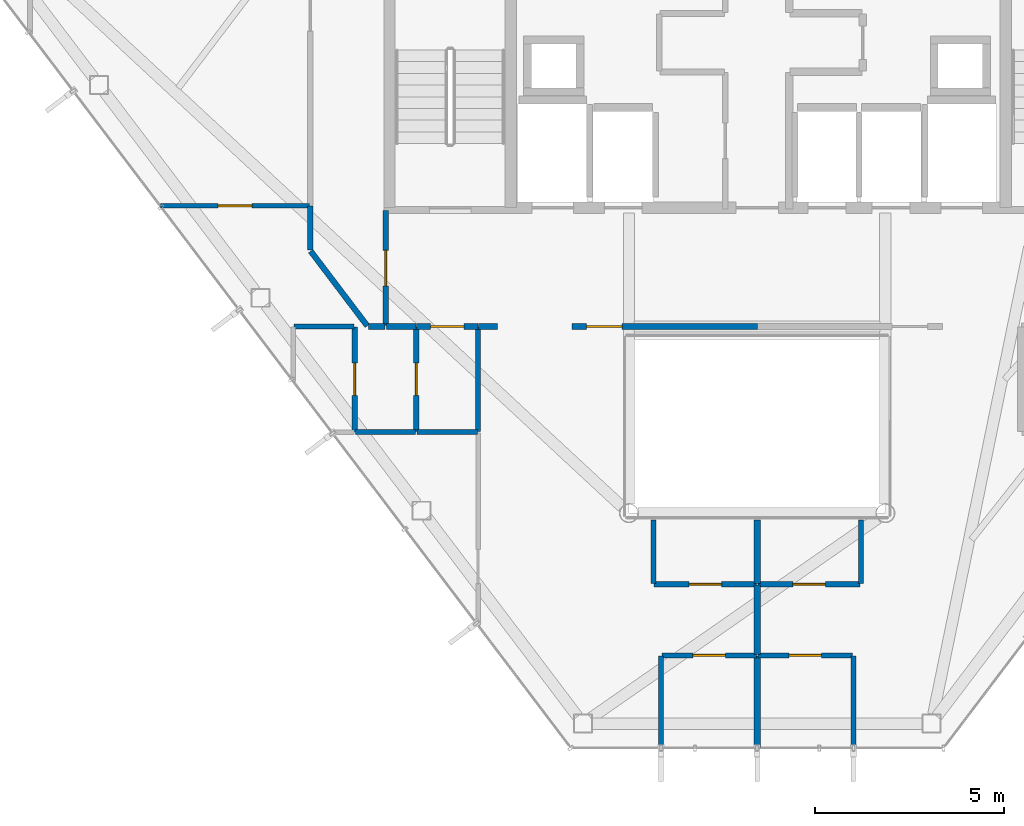
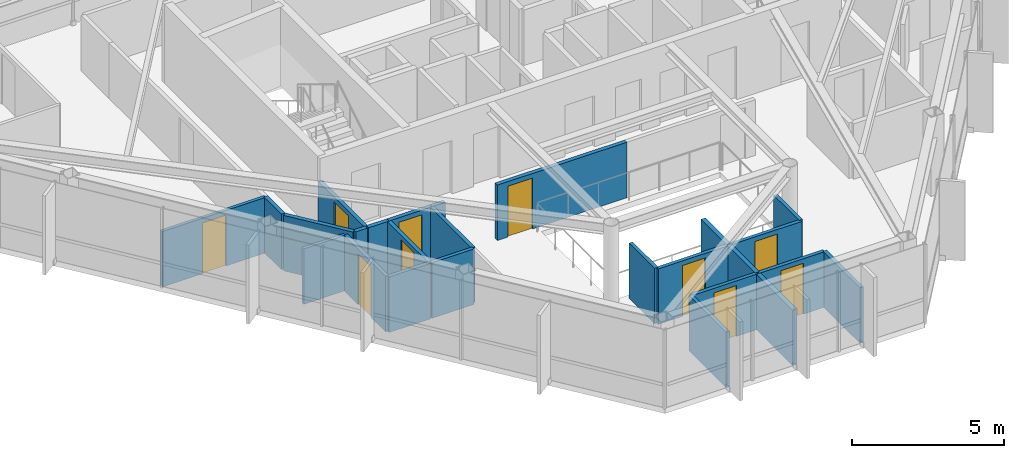
# One storey, part 22 of 26: 26 walls, 10 doors, 10 openings.
"""IFC4 building model written with IfcOpenShell, lengths in metres."""

import ifcopenshell
import ifcopenshell.guid

model = None  # the IFC model being written
_history = None  # IfcOwnerHistory: only IFC2X3 demands one
_inside = {}  # id of a spatial element -> (the spatial element, [elements in it])
_under = {}  # id of a project, library or spatial element -> (it, [spatial elements below it])
_declared = {}  # id of a project -> (the project, [libraries it declares])
_typed = {}  # id of a type object -> (the type object, [elements of that type])
_made_of = {}  # id of a material, layer set ... -> (it, [elements and type objects made of it])


def new_model(schema):
    """Start an empty IFC model of exactly this schema.

    Asked for "IFC4X3", IfcOpenShell would pick the latest addendum, in which some entities
    have other attributes; the version numbers below select the first issue.
    IFC2X3 requires an IfcOwnerHistory on every rooted entity: one is made here for all.
    """
    global model, _history
    if schema == "IFC4X3":
        model = ifcopenshell.file(schema_version=(4, 3, 0, 0))
    else:
        model = ifcopenshell.file(schema=schema)
    _inside.clear()
    _under.clear()
    _declared.clear()
    _typed.clear()
    _made_of.clear()
    _history = None
    if model.schema == "IFC2X3":
        org = make("IfcOrganization", Name="unknown")
        user = make(
            "IfcPersonAndOrganization",
            ThePerson=make("IfcPerson", FamilyName="unknown"),
            TheOrganization=org,
        )
        app = make(
            "IfcApplication",
            ApplicationDeveloper=org,
            Version="unknown",
            ApplicationFullName="unknown",
            ApplicationIdentifier="unknown",
        )
        _history = make(
            "IfcOwnerHistory",
            OwningUser=user,
            OwningApplication=app,
            ChangeAction="ADDED",
            CreationDate=0,
        )
    return model


def make(cls, **values):
    """One entity of the class cls with the attributes given. An attribute that is None is left unset."""
    return model.create_entity(
        cls, **{name: value for name, value in values.items() if value is not None}
    )


def rooted(cls, **values):
    """An entity with a GlobalId (a new one), such as an element, a storey or a relation."""
    return make(cls, GlobalId=ifcopenshell.guid.new(), OwnerHistory=_history, **values)


def si_unit(unit_type, name, prefix=None):
    """IfcSIUnit, for example si_unit("LENGTHUNIT", "METRE", prefix="MILLI")."""
    return make("IfcSIUnit", UnitType=unit_type, Prefix=prefix, Name=name)


def assignment(units):
    """IfcUnitAssignment: the units of a project."""
    return None if units is None else make("IfcUnitAssignment", Units=units)


def point(xyz):
    """IfcCartesianPoint."""
    return None if xyz is None else make("IfcCartesianPoint", Coordinates=xyz)


def direction(xyz):
    """IfcDirection."""
    return None if xyz is None else make("IfcDirection", DirectionRatios=xyz)


def frame(location, z_axis=None, x_axis=None):
    """IfcAxis2Placement3D, a coordinate frame: its origin and axes. An axis left out is left unset."""
    return make(
        "IfcAxis2Placement3D",
        Location=point(location),
        Axis=direction(z_axis),
        RefDirection=direction(x_axis),
    )


def frame_2d(location, x_axis=None):
    """IfcAxis2Placement2D, a coordinate frame in the plane: its origin and x axis."""
    return make(
        "IfcAxis2Placement2D", Location=point(location), RefDirection=direction(x_axis)
    )


def origin():
    """The frame at (0, 0, 0) with its axes left unset."""
    return frame((0.0, 0.0, 0.0))


def place(relative_to, where):
    """IfcLocalPlacement: puts the frame where relative to a parent placement (None: the world)."""
    return make(
        "IfcLocalPlacement", PlacementRelTo=relative_to, RelativePlacement=where
    )


def context(
    kind, dimensions, precision=None, world=None, true_north=None, identifier=None
):
    """IfcGeometricRepresentationContext, for example the 3D "Model" context."""
    return make(
        "IfcGeometricRepresentationContext",
        ContextIdentifier=identifier,
        ContextType=kind,
        CoordinateSpaceDimension=dimensions,
        Precision=precision,
        WorldCoordinateSystem=world,
        TrueNorth=true_north,
    )


def subcontext(parent, identifier, kind, view, scale=None):
    """IfcGeometricRepresentationSubContext, for example "Body" below "Model"."""
    return make(
        "IfcGeometricRepresentationSubContext",
        ContextIdentifier=identifier,
        ContextType=kind,
        ParentContext=parent,
        TargetScale=scale,
        TargetView=view,
    )


def project(units=None, contexts=None):
    """IfcProject with its units and contexts."""
    return rooted(
        "IfcProject",
        Name="project",
        RepresentationContexts=contexts,
        UnitsInContext=assignment(units),
    )


def spatial(cls, under=None, at=None, **own):
    """A site, building, storey or space (cls), placed at a placement, below another one or the project."""
    s = rooted(cls, ObjectPlacement=at, **own)
    if under is not None:
        _under.setdefault(under.id(), (under, []))[1].append(s)
    return s


def profile(cls, at=None, kind="AREA", **sizes):
    """A parametric profile (cls). Its sizes go by their IFC names, for example OverallWidth=200.0."""
    return make(cls, ProfileType=kind, Position=at, **sizes)


def rectangle(**sizes):
    """IfcRectangleProfileDef."""
    return profile("IfcRectangleProfileDef", **sizes)


def extrude(swept, where, along, depth):
    """IfcExtrudedAreaSolid: the profile swept, set in the frame where, extruded along a direction by depth."""
    return make(
        "IfcExtrudedAreaSolid",
        SweptArea=swept,
        Position=where,
        ExtrudedDirection=direction(along),
        Depth=depth,
    )


def shape(context_of_items, identifier, shape_type, items):
    """IfcShapeRepresentation: the items that make up one representation, for example the "Body"."""
    return make(
        "IfcShapeRepresentation",
        ContextOfItems=context_of_items,
        RepresentationIdentifier=identifier,
        RepresentationType=shape_type,
        Items=items,
    )


def material(Name=None, Category=None):
    """IfcMaterial."""
    return make("IfcMaterial", Name=Name, Category=Category)


def layer(
    of_material, thickness, ventilated=None, Name=None, Category=None, Priority=None
):
    """IfcMaterialLayer: one layer of a wall or slab, of a material (None: an air gap)."""
    return make(
        "IfcMaterialLayer",
        Material=of_material,
        LayerThickness=thickness,
        IsVentilated=ventilated,
        Name=Name,
        Category=Category,
        Priority=Priority,
    )


def layer_set(layers, Name=None):
    """IfcMaterialLayerSet."""
    return make("IfcMaterialLayerSet", MaterialLayers=layers, LayerSetName=Name)


def made_of(thing, what):
    """Note that an element or type object is made of a material, layer set ...; save() writes the relation."""
    if what is not None:
        _made_of.setdefault(what.id(), (what, []))[1].append(thing)
    return thing


def type_object(cls, material=None, **own):
    """A type object (cls), such as IfcWallType, which elements share."""
    return made_of(rooted(cls, **own), material)


def element(
    cls,
    number,
    at=None,
    inside=None,
    cuts=None,
    type_object=None,
    material=None,
    context=None,
    identifier="Body",
    shape_type=None,
    held_by="IfcProductDefinitionShape",
    body=None,
    shapes=None,
    **own,
):
    """One element of the class cls, such as IfcWall. Its Tag is "e" and its number.

    at: its placement. inside: the storey or other place that contains it. cuts: it is an
    opening in that element (IfcRelVoidsElement). A single representation is given by context,
    identifier, shape_type and body (its items); several are given by shapes. held_by: the class
    of the entity that holds the representations. save() writes the other relations.
    """
    e = rooted(cls, Tag="e%d" % number, ObjectPlacement=at, **own)
    if body is not None:
        shapes = [shape(context, identifier, shape_type, body)]
    if shapes is not None:
        e.Representation = make(held_by, Representations=shapes)
    if inside is not None:
        _inside.setdefault(inside.id(), (inside, []))[1].append(e)
    if cuts is not None:
        rooted(
            "IfcRelVoidsElement", RelatingBuildingElement=cuts, RelatedOpeningElement=e
        )
    if type_object is not None:
        _typed.setdefault(type_object.id(), (type_object, []))[1].append(e)
    return made_of(e, material)


def fill(opening, filler):
    """IfcRelFillsElement: the door or window that sits in an opening."""
    return rooted(
        "IfcRelFillsElement",
        RelatingOpeningElement=opening,
        RelatedBuildingElement=filler,
    )


def aggregate(whole, parts):
    """IfcRelAggregates: a whole, such as a stair, and the parts it consists of."""
    return rooted("IfcRelAggregates", RelatingObject=whole, RelatedObjects=parts)


def save(model, path):
    """Write the relations noted so far, then the file.

    IfcRelAggregates (storeys below a building ...), IfcRelContainedInSpatialStructure (elements
    in a storey), IfcRelDefinesByType, IfcRelAssociatesMaterial and IfcRelDeclares: one each for
    every whole, place, type object, material and project.
    """
    for whole, parts in _under.values():
        aggregate(whole, parts)
    for where, things in _inside.values():
        rooted(
            "IfcRelContainedInSpatialStructure",
            RelatedElements=things,
            RelatingStructure=where,
        )
    for kind, things in _typed.values():
        rooted("IfcRelDefinesByType", RelatedObjects=things, RelatingType=kind)
    for what, things in _made_of.values():
        rooted("IfcRelAssociatesMaterial", RelatedObjects=things, RelatingMaterial=what)
    for by, libraries in _declared.values():
        rooted("IfcRelDeclares", RelatingContext=by, RelatedDefinitions=libraries)
    model.write(path)


model = new_model("IFC4")

# Units and contexts
model_context = context("Model", 3, precision=1e-05, world=origin(), true_north=direction((0.0, 1.0)))
body_context = subcontext(model_context, "Body", "Model", "MODEL_VIEW")
ifc_project = project(units=[si_unit("LENGTHUNIT", "METRE"), si_unit("AREAUNIT", "SQUARE_METRE"), si_unit("VOLUMEUNIT", "CUBIC_METRE"), si_unit("PLANEANGLEUNIT", "RADIAN"), si_unit("MASSUNIT", "GRAM", prefix="KILO")], contexts=[model_context])

# Site, building, storey
site_placement = place(None, origin())
site = spatial("IfcSite", under=ifc_project, at=site_placement, CompositionType="ELEMENT")
building_placement = place(site_placement, origin())
building = spatial("IfcBuilding", under=site, at=building_placement, Name="Zarrinselat Tower", CompositionType="ELEMENT")
storey_placement = place(building_placement, frame((0.0, 0.0, 258.39990234375)))
storey = spatial("IfcBuildingStorey", under=building, at=storey_placement, Name="L65", CompositionType="ELEMENT", Elevation=258.39990234375)

# Walls
ifc_material_1 = material(Name="Fire-Rated Gypsum Board Partition", Category="gypsum")
ifc_layer_1 = layer(ifc_material_1, 0.1650390625)
ifc_layer_set_1 = layer_set([ifc_layer_1], Name="Fire-Rated Gypsum Board Partition")
wall_type_1 = type_object("IfcWallType", Name="WAL-PART-DEMISE", PredefinedType="PARTITIONING", material=ifc_layer_set_1)
wall_1_placement = place(storey_placement, frame((38.39990234375, 21.451171875, 0.0), z_axis=(0.0, 0.0, 1.0), x_axis=(0.0, 1.0, 0.0)))
element("IfcWall", 1, at=wall_1_placement, inside=storey, type_object=wall_type_1, Name="L65 Partition Wall 52", PredefinedType="PARTITIONING", context=body_context, shape_type="SweptSolid", body=[
    extrude(rectangle(XDim=1.844482421875, YDim=0.1650390625, at=frame_2d((0.92236328125, 0.0))), origin(), (0.0, 0.0, 1.0), 2.235107421875),
])
wall_2_placement = place(storey_placement, frame((38.39990234375, 23.335693359375, 0.0), z_axis=(0.0, 0.0, 1.0), x_axis=(0.0, 1.0, 0.0)))
element("IfcWall", 2, at=wall_2_placement, inside=storey, type_object=wall_type_1, Name="L65 Partition Wall 53", PredefinedType="PARTITIONING", context=body_context, shape_type="SweptSolid", body=[
    extrude(rectangle(XDim=1.684326171875, YDim=0.1650390625, at=frame_2d((0.84228515625, 0.0))), origin(), (0.0, 0.0, 1.0), 2.235107421875),
])
wall_3_placement = place(storey_placement, frame((38.39990234375, 18.986083984375, 0.0), z_axis=(0.0, 0.0, 1.0), x_axis=(0.0, 1.0, 0.0)))
element("IfcWall", 3, at=wall_3_placement, inside=storey, type_object=wall_type_1, Name="L65 Partition Wall 54", PredefinedType="PARTITIONING", context=body_context, shape_type="SweptSolid", body=[
    extrude(rectangle(XDim=2.425048828125, YDim=0.1650390625, at=frame_2d((1.21240234375, 0.0))), origin(), (0.0, 0.0, 1.0), 2.235107421875),
])

# Wall, opening, door
ifc_material_2 = material(Name="Fire-Rated Gypsum Board Partition", Category="gypsum")
ifc_layer_2 = layer(ifc_material_2, 0.14990234375)
ifc_layer_set_2 = layer_set([ifc_layer_2], Name="Fire-Rated Gypsum Board Partition")
wall_type_2 = type_object("IfcWallType", Name="WAL-PART-EI60", PredefinedType="PARTITIONING", material=ifc_layer_set_2)
wall_4_placement = place(storey_placement, frame((28.550048828125, 30.169921875, 0.0), z_axis=(0.0, 0.0, 1.0), x_axis=(0.0, 1.0, 0.0)))
wall_4 = element("IfcWall", 4, at=wall_4_placement, inside=storey, type_object=wall_type_2, Name="L65 Partition Wall 17", PredefinedType="PARTITIONING", context=body_context, shape_type="SweptSolid", body=[
    extrude(rectangle(XDim=3.06005859375, YDim=0.14990234375, at=frame_2d((1.530029296875, 0.0))), origin(), (0.0, 0.0, 1.0), 2.235107421875),
])
opening_1_placement = place(wall_4_placement, frame((1.06005859375, 0.0, 0.0)))
opening_1 = element("IfcOpeningElement", 5, at=opening_1_placement, cuts=wall_4, Name="Opening ID-04", PredefinedType="OPENING", context=body_context, shape_type="SweptSolid", body=[
    extrude(rectangle(XDim=0.93994140625, YDim=2.050048828125, at=frame_2d((0.469970703125, 1.02490234375))), frame((0.0, 0.0849609375, 0.0), z_axis=(0.0, -1.0, 0.0), x_axis=(1.0, 0.0, 0.0)), (0.0, 0.0, 1.0), 0.169921875),
])
ifc_material_3 = material(Name="Fire-Rated Gypsum Board Partition")
door_type_1 = type_object("IfcDoorType", Name="DR-INT-FD30-ENT", OperationType="NOTDEFINED", PredefinedType="DOOR", material=ifc_material_3)
door_1_placement = place(opening_1_placement, origin())
door_1 = element("IfcDoor", 6, at=door_1_placement, inside=storey, type_object=door_type_1, Name="L65 Interior Door P17", OperationType="SINGLE_SWING_RIGHT", OverallHeight=2.050048828125, OverallWidth=0.93994140625, PredefinedType="DOOR", context=body_context, shape_type="SweptSolid", body=[
    extrude(rectangle(XDim=0.93994140625, YDim=2.050048828125, at=frame_2d((0.469970703125, 1.02490234375))), frame((0.0, 0.02490234375, 0.0), z_axis=(0.0, -1.0, 0.0), x_axis=(1.0, 0.0, 0.0)), (0.0, 0.0, 1.0), 0.050048828125),
])
fill(opening_1, door_1)

# Wall
wall_5_placement = place(storey_placement, frame((28.570068359375, 30.14990234375, 0.0), z_axis=(0.0, 0.0, 1.0), x_axis=(1.0, 0.0, 0.0)))
element("IfcWall", 7, at=wall_5_placement, inside=storey, type_object=wall_type_2, Name="L65 Partition Wall 19", PredefinedType="PARTITIONING", context=body_context, shape_type="SweptSolid", body=[
    extrude(rectangle(XDim=0.784912109375, YDim=0.14990234375, at=frame_2d((0.392578125, 0.0))), origin(), (0.0, 0.0, 1.0), 2.235107421875),
])

# Wall, opening, door
wall_6_placement = place(storey_placement, frame((29.364990234375, 30.14990234375, 0.0), z_axis=(0.0, 0.0, 1.0), x_axis=(1.0, 0.0, 0.0)))
wall_6 = element("IfcWall", 8, at=wall_6_placement, inside=storey, type_object=wall_type_2, Name="L65 Partition Wall 20", PredefinedType="PARTITIONING", context=body_context, shape_type="SweptSolid", body=[
    extrude(rectangle(XDim=1.630126953125, YDim=0.14990234375, at=frame_2d((0.81494140625, 0.0))), origin(), (0.0, 0.0, 1.0), 2.235107421875),
])
opening_2_placement = place(wall_6_placement, frame((0.375, 0.0, 0.0)))
opening_2 = element("IfcOpeningElement", 9, at=opening_2_placement, cuts=wall_6, Name="Opening ID-03", PredefinedType="OPENING", context=body_context, shape_type="SweptSolid", body=[
    extrude(rectangle(XDim=0.8798828125, YDim=2.050048828125, at=frame_2d((0.43994140625, 1.02490234375))), frame((0.0, 0.0849609375, 0.0), z_axis=(0.0, -1.0, 0.0), x_axis=(1.0, 0.0, 0.0)), (0.0, 0.0, 1.0), 0.169921875),
])
ifc_material_4 = material(Name="Steel S355J2", Category="steel")
door_type_2 = type_object("IfcDoorType", Name="DR-INT-FD60-S", OperationType="NOTDEFINED", PredefinedType="DOOR", material=ifc_material_4)
door_2_placement = place(opening_2_placement, origin())
door_2 = element("IfcDoor", 10, at=door_2_placement, inside=storey, type_object=door_type_2, Name="L65 Interior Door P20", OperationType="SINGLE_SWING_LEFT", OverallHeight=2.050048828125, OverallWidth=0.8798828125, PredefinedType="DOOR", context=body_context, shape_type="SweptSolid", body=[
    extrude(rectangle(XDim=0.8798828125, YDim=2.050048828125, at=frame_2d((0.43994140625, 1.02490234375))), frame((0.0, 0.02490234375, 0.0), z_axis=(0.0, -1.0, 0.0), x_axis=(1.0, 0.0, 0.0)), (0.0, 0.0, 1.0), 0.050048828125),
])
fill(opening_2, door_2)

wall_7_placement = place(storey_placement, frame((33.485107421875, 30.14990234375, 0.0), z_axis=(0.0, 0.0, 1.0), x_axis=(1.0, 0.0, 0.0)))
wall_7 = element("IfcWall", 11, at=wall_7_placement, inside=storey, type_object=wall_type_2, Name="L65 Partition Wall 21", PredefinedType="PARTITIONING", context=body_context, shape_type="SweptSolid", body=[
    extrude(rectangle(XDim=4.929931640625, YDim=0.14990234375, at=frame_2d((2.46484375, 0.0))), origin(), (0.0, 0.0, 1.0), 2.235107421875),
])
opening_3_placement = place(wall_7_placement, frame((0.39501953125, 0.0, 0.0)))
opening_3 = element("IfcOpeningElement", 12, at=opening_3_placement, cuts=wall_7, Name="Opening ID-04", PredefinedType="OPENING", context=body_context, shape_type="SweptSolid", body=[
    extrude(rectangle(XDim=0.93994140625, YDim=2.050048828125, at=frame_2d((0.469970703125, 1.02490234375))), frame((0.0, 0.0849609375, 0.0), z_axis=(0.0, -1.0, 0.0), x_axis=(1.0, 0.0, 0.0)), (0.0, 0.0, 1.0), 0.169921875),
])
door_3_placement = place(opening_3_placement, origin())
door_3 = element("IfcDoor", 13, at=door_3_placement, inside=storey, type_object=door_type_1, Name="L65 Interior Door P21", OperationType="SINGLE_SWING_RIGHT", OverallHeight=2.050048828125, OverallWidth=0.93994140625, PredefinedType="DOOR", context=body_context, shape_type="SweptSolid", body=[
    extrude(rectangle(XDim=0.93994140625, YDim=2.050048828125, at=frame_2d((0.469970703125, 1.02490234375))), frame((0.0, 0.02490234375, 0.0), z_axis=(0.0, -1.0, 0.0), x_axis=(1.0, 0.0, 0.0)), (0.0, 0.0, 1.0), 0.050048828125),
])
fill(opening_3, door_3)

# Walls
wall_8_placement = place(storey_placement, frame((31.0048828125, 30.14990234375, 0.0), z_axis=(0.0, 0.0, 1.0), x_axis=(1.0, 0.0, 0.0)))
element("IfcWall", 14, at=wall_8_placement, inside=storey, type_object=wall_type_2, Name="L65 Partition Wall 22", PredefinedType="PARTITIONING", context=body_context, shape_type="SweptSolid", body=[
    extrude(rectangle(XDim=0.510009765625, YDim=0.14990234375, at=frame_2d((0.2548828125, 0.0))), origin(), (0.0, 0.0, 1.0), 2.235107421875),
])
wall_9_placement = place(storey_placement, frame((28.094482421875, 30.14990234375, 0.0), z_axis=(0.0, 0.0, 1.0), x_axis=(1.0, 0.0, 0.0)))
element("IfcWall", 15, at=wall_9_placement, inside=storey, type_object=wall_type_2, Name="L65 Partition Wall 27", PredefinedType="PARTITIONING", context=body_context, shape_type="SweptSolid", body=[
    extrude(rectangle(XDim=0.435546875, YDim=0.14990234375, at=frame_2d((0.2177734375, 0.0))), origin(), (0.0, 0.0, 1.0), 2.235107421875),
])
wall_10_placement = place(storey_placement, frame((26.56201171875, 32.146484375, 0.0), z_axis=(0.0, 0.0, 1.0), x_axis=(0.603891739408, -0.797066350485, 0.0)))
element("IfcWall", 16, at=wall_10_placement, inside=storey, type_object=wall_type_2, Name="L65 Partition Wall 32", PredefinedType="PARTITIONING", context=body_context, shape_type="SweptSolid", body=[
    extrude(rectangle(XDim=2.484619140625, YDim=0.14990234375, at=frame_2d((1.2421875, 0.0))), origin(), (0.0, 0.0, 1.0), 2.235107421875),
])
wall_11_placement = place(storey_placement, frame((26.550048828125, 32.1826171875, 0.0), z_axis=(0.0, 0.0, 1.0), x_axis=(0.0, 1.0, 0.0)))
element("IfcWall", 17, at=wall_11_placement, inside=storey, type_object=wall_type_2, Name="L65 Partition Wall 33", PredefinedType="PARTITIONING", context=body_context, shape_type="SweptSolid", body=[
    extrude(rectangle(XDim=1.160400390625, YDim=0.14990234375, at=frame_2d((0.580078125, 0.0))), origin(), (0.0, 0.0, 1.0), 2.235107421875),
])
ifc_material_5 = material(Name="Fire-Rated Gypsum Board Partition", Category="gypsum")
ifc_layer_3 = layer(ifc_material_5, 0.1201171875)
ifc_layer_set_3 = layer_set([ifc_layer_3], Name="Fire-Rated Gypsum Board Partition")
wall_type_3 = type_object("IfcWallType", Name="WAL-PART-STD", PredefinedType="PARTITIONING", material=ifc_layer_set_3)
wall_12_placement = place(storey_placement, frame((26.1201171875, 30.14990234375, 0.0), z_axis=(0.0, 0.0, 1.0), x_axis=(1.0, 0.0, 0.0)))
element("IfcWall", 18, at=wall_12_placement, inside=storey, type_object=wall_type_3, Name="L65 Partition Wall 46", PredefinedType="PARTITIONING", context=body_context, shape_type="SweptSolid", body=[
    extrude(rectangle(XDim=1.58984375, YDim=0.1201171875, at=frame_2d((0.794921875, 0.0))), origin(), (0.0, 0.0, 1.0), 2.235107421875),
])

# Wall, opening, door
wall_13_placement = place(storey_placement, frame((22.580810546875, 33.347900390625, 0.0), z_axis=(0.0, 0.0, 1.0), x_axis=(1.0, 0.0, 0.0)))
wall_13 = element("IfcWall", 19, at=wall_13_placement, inside=storey, type_object=wall_type_3, Name="L65 Partition Wall 64", PredefinedType="PARTITIONING", context=body_context, shape_type="SweptSolid", body=[
    extrude(rectangle(XDim=3.94921875, YDim=0.1201171875, at=frame_2d((1.974609375, 0.0))), origin(), (0.0, 0.0, 1.0), 2.235107421875),
])
opening_4_placement = place(wall_13_placement, frame((1.524658203125, 0.0, 0.0)))
opening_4 = element("IfcOpeningElement", 20, at=opening_4_placement, cuts=wall_13, Name="Opening ID-05", PredefinedType="OPENING", context=body_context, shape_type="SweptSolid", body=[
    extrude(rectangle(XDim=0.89990234375, YDim=2.050048828125, at=frame_2d((0.449951171875, 1.02490234375))), frame((0.0, 0.070068359375, 0.0), z_axis=(0.0, -1.0, 0.0), x_axis=(1.0, 0.0, 0.0)), (0.0, 0.0, 1.0), 0.14013671875),
])
ifc_material_6 = material(Name="Extruded Aluminium Alloy EN AW-6063 T6", Category="aluminium")
door_type_3 = type_object("IfcDoorType", Name="DR-INT-STD-920", OperationType="NOTDEFINED", PredefinedType="DOOR", material=ifc_material_6)
door_4_placement = place(opening_4_placement, origin())
door_4 = element("IfcDoor", 21, at=door_4_placement, inside=storey, type_object=door_type_3, Name="L65 Interior Door P64", OperationType="SINGLE_SWING_RIGHT", OverallHeight=2.050048828125, OverallWidth=0.89990234375, PredefinedType="DOOR", context=body_context, shape_type="SweptSolid", body=[
    extrude(rectangle(XDim=0.89990234375, YDim=2.050048828125, at=frame_2d((0.449951171875, 1.02490234375))), frame((0.0, 0.02490234375, 0.0), z_axis=(0.0, -1.0, 0.0), x_axis=(1.0, 0.0, 0.0)), (0.0, 0.0, 1.0), 0.050048828125),
])
fill(opening_4, door_4)

ifc_material_7 = material(Name="Fire-Rated Gypsum Board Partition", Category="gypsum")
ifc_layer_4 = layer(ifc_material_7, 0.135009765625)
ifc_layer_set_4 = layer_set([ifc_layer_4], Name="Fire-Rated Gypsum Board Partition")
wall_type_4 = type_object("IfcWallType", Name="WAL-PART-WET", PredefinedType="PARTITIONING", material=ifc_layer_set_4)
wall_14_placement = place(storey_placement, frame((29.360107421875, 27.3701171875, 0.0), z_axis=(0.0, 0.0, 1.0), x_axis=(0.0, 1.0, 0.0)))
wall_14 = element("IfcWall", 22, at=wall_14_placement, inside=storey, type_object=wall_type_4, Name="L65 Partition Wall 39", PredefinedType="PARTITIONING", context=body_context, shape_type="SweptSolid", body=[
    extrude(rectangle(XDim=2.759765625, YDim=0.135009765625, at=frame_2d((1.3798828125, 0.0))), origin(), (0.0, 0.0, 1.0), 2.235107421875),
])
opening_5_placement = place(wall_14_placement, frame((0.949951171875, 0.0, 0.0)))
opening_5 = element("IfcOpeningElement", 23, at=opening_5_placement, cuts=wall_14, Name="Opening ID-06", PredefinedType="OPENING", context=body_context, shape_type="SweptSolid", body=[
    extrude(rectangle(XDim=0.860107421875, YDim=2.050048828125, at=frame_2d((0.43017578125, 1.02490234375))), frame((0.0, 0.077392578125, 0.0), z_axis=(0.0, -1.0, 0.0), x_axis=(1.0, 0.0, 0.0)), (0.0, 0.0, 1.0), 0.155029296875),
])
ifc_material_8 = material(Name="Extruded Aluminium Alloy EN AW-6063 T6", Category="aluminium")
door_type_4 = type_object("IfcDoorType", Name="DR-INT-WET-900", OperationType="NOTDEFINED", PredefinedType="DOOR", material=ifc_material_8)
door_5_placement = place(opening_5_placement, origin())
door_5 = element("IfcDoor", 24, at=door_5_placement, inside=storey, type_object=door_type_4, Name="L65 Interior Door P39", OperationType="SINGLE_SWING_RIGHT", OverallHeight=2.050048828125, OverallWidth=0.860107421875, PredefinedType="DOOR", context=body_context, shape_type="SweptSolid", body=[
    extrude(rectangle(XDim=0.860107421875, YDim=2.050048828125, at=frame_2d((0.43017578125, 1.02490234375))), frame((0.0, 0.02490234375, 0.0), z_axis=(0.0, -1.0, 0.0), x_axis=(1.0, 0.0, 0.0)), (0.0, 0.0, 1.0), 0.050048828125),
])
fill(opening_5, door_5)

wall_15_placement = place(storey_placement, frame((27.72998046875, 27.3701171875, 0.0), z_axis=(0.0, 0.0, 1.0), x_axis=(0.0, 1.0, 0.0)))
wall_15 = element("IfcWall", 25, at=wall_15_placement, inside=storey, type_object=wall_type_4, Name="L65 Partition Wall 40", PredefinedType="PARTITIONING", context=body_context, shape_type="SweptSolid", body=[
    extrude(rectangle(XDim=2.759765625, YDim=0.135009765625, at=frame_2d((1.3798828125, 0.0))), origin(), (0.0, 0.0, 1.0), 2.235107421875),
])
opening_6_placement = place(wall_15_placement, frame((0.949951171875, 0.0, 0.0)))
opening_6 = element("IfcOpeningElement", 26, at=opening_6_placement, cuts=wall_15, Name="Opening ID-06", PredefinedType="OPENING", context=body_context, shape_type="SweptSolid", body=[
    extrude(rectangle(XDim=0.860107421875, YDim=2.050048828125, at=frame_2d((0.43017578125, 1.02490234375))), frame((0.0, 0.077392578125, 0.0), z_axis=(0.0, -1.0, 0.0), x_axis=(1.0, 0.0, 0.0)), (0.0, 0.0, 1.0), 0.155029296875),
])
door_6_placement = place(opening_6_placement, origin())
door_6 = element("IfcDoor", 27, at=door_6_placement, inside=storey, type_object=door_type_4, Name="L65 Interior Door P40", OperationType="SINGLE_SWING_LEFT", OverallHeight=2.050048828125, OverallWidth=0.860107421875, PredefinedType="DOOR", context=body_context, shape_type="SweptSolid", body=[
    extrude(rectangle(XDim=0.860107421875, YDim=2.050048828125, at=frame_2d((0.43017578125, 1.02490234375))), frame((0.0, 0.02490234375, 0.0), z_axis=(0.0, -1.0, 0.0), x_axis=(1.0, 0.0, 0.0)), (0.0, 0.0, 1.0), 0.050048828125),
])
fill(opening_6, door_6)

# Walls
wall_16_placement = place(storey_placement, frame((27.75, 27.35009765625, 0.0), z_axis=(0.0, 0.0, 1.0), x_axis=(1.0, 0.0, 0.0)))
element("IfcWall", 28, at=wall_16_placement, inside=storey, type_object=wall_type_4, Name="L65 Partition Wall 41", PredefinedType="PARTITIONING", context=body_context, shape_type="SweptSolid", body=[
    extrude(rectangle(XDim=1.590087890625, YDim=0.135009765625, at=frame_2d((0.794921875, 0.0))), origin(), (0.0, 0.0, 1.0), 2.235107421875),
])
wall_17_placement = place(storey_placement, frame((31.0, 27.3701171875, 0.0), z_axis=(0.0, 0.0, 1.0), x_axis=(0.0, 1.0, 0.0)))
element("IfcWall", 29, at=wall_17_placement, inside=storey, type_object=wall_type_4, Name="L65 Partition Wall 42", PredefinedType="PARTITIONING", context=body_context, shape_type="SweptSolid", body=[
    extrude(rectangle(XDim=2.759765625, YDim=0.135009765625, at=frame_2d((1.3798828125, 0.0))), origin(), (0.0, 0.0, 1.0), 2.235107421875),
])
wall_18_placement = place(storey_placement, frame((29.3798828125, 27.35009765625, 0.0), z_axis=(0.0, 0.0, 1.0), x_axis=(1.0, 0.0, 0.0)))
element("IfcWall", 30, at=wall_18_placement, inside=storey, type_object=wall_type_4, Name="L65 Partition Wall 43", PredefinedType="PARTITIONING", context=body_context, shape_type="SweptSolid", body=[
    extrude(rectangle(XDim=1.60009765625, YDim=0.135009765625, at=frame_2d((0.800048828125, 0.0))), origin(), (0.0, 0.0, 1.0), 2.235107421875),
])
wall_19_placement = place(storey_placement, frame((35.64990234375, 23.335693359375, 0.0), z_axis=(0.0, 0.0, 1.0), x_axis=(0.0, 1.0, 0.0)))
element("IfcWall", 31, at=wall_19_placement, inside=storey, type_object=wall_type_4, Name="L65 Partition Wall 47", PredefinedType="PARTITIONING", context=body_context, shape_type="SweptSolid", body=[
    extrude(rectangle(XDim=1.684326171875, YDim=0.135009765625, at=frame_2d((0.84228515625, 0.0))), origin(), (0.0, 0.0, 1.0), 2.235107421875),
])

# Wall, opening, door
wall_20_placement = place(storey_placement, frame((35.669921875, 23.315673828125, 0.0), z_axis=(0.0, 0.0, 1.0), x_axis=(1.0, 0.0, 0.0)))
wall_20 = element("IfcWall", 32, at=wall_20_placement, inside=storey, type_object=wall_type_4, Name="L65 Partition Wall 48", PredefinedType="PARTITIONING", context=body_context, shape_type="SweptSolid", body=[
    extrude(rectangle(XDim=2.7099609375, YDim=0.135009765625, at=frame_2d((1.35498046875, 0.0))), origin(), (0.0, 0.0, 1.0), 2.235107421875),
])
opening_7_placement = place(wall_20_placement, frame((0.925048828125, 0.0, 0.0)))
opening_7 = element("IfcOpeningElement", 33, at=opening_7_placement, cuts=wall_20, Name="Opening ID-06", PredefinedType="OPENING", context=body_context, shape_type="SweptSolid", body=[
    extrude(rectangle(XDim=0.860107421875, YDim=2.050048828125, at=frame_2d((0.43017578125, 1.02490234375))), frame((0.0, 0.077392578125, 0.0), z_axis=(0.0, -1.0, 0.0), x_axis=(1.0, 0.0, 0.0)), (0.0, 0.0, 1.0), 0.155029296875),
])
door_7_placement = place(opening_7_placement, origin())
door_7 = element("IfcDoor", 34, at=door_7_placement, inside=storey, type_object=door_type_4, Name="L65 Interior Door P48", OperationType="SINGLE_SWING_RIGHT", OverallHeight=2.050048828125, OverallWidth=0.860107421875, PredefinedType="DOOR", context=body_context, shape_type="SweptSolid", body=[
    extrude(rectangle(XDim=0.860107421875, YDim=2.050048828125, at=frame_2d((0.43017578125, 1.02490234375))), frame((0.0, 0.02490234375, 0.0), z_axis=(0.0, -1.0, 0.0), x_axis=(1.0, 0.0, 0.0)), (0.0, 0.0, 1.0), 0.050048828125),
])
fill(opening_7, door_7)

wall_21_placement = place(storey_placement, frame((35.8701171875, 21.43115234375, 0.0), z_axis=(0.0, 0.0, 1.0), x_axis=(1.0, 0.0, 0.0)))
wall_21 = element("IfcWall", 35, at=wall_21_placement, inside=storey, type_object=wall_type_4, Name="L65 Partition Wall 49", PredefinedType="PARTITIONING", context=body_context, shape_type="SweptSolid", body=[
    extrude(rectangle(XDim=2.509765625, YDim=0.135009765625, at=frame_2d((1.2548828125, 0.0))), origin(), (0.0, 0.0, 1.0), 2.235107421875),
])
opening_8_placement = place(wall_21_placement, frame((0.824951171875, 0.0, 0.0)))
opening_8 = element("IfcOpeningElement", 36, at=opening_8_placement, cuts=wall_21, Name="Opening ID-06", PredefinedType="OPENING", context=body_context, shape_type="SweptSolid", body=[
    extrude(rectangle(XDim=0.860107421875, YDim=2.050048828125, at=frame_2d((0.43017578125, 1.02490234375))), frame((0.0, 0.077392578125, 0.0), z_axis=(0.0, -1.0, 0.0), x_axis=(1.0, 0.0, 0.0)), (0.0, 0.0, 1.0), 0.155029296875),
])
door_8_placement = place(opening_8_placement, origin())
door_8 = element("IfcDoor", 37, at=door_8_placement, inside=storey, type_object=door_type_4, Name="L65 Interior Door P49", OperationType="SINGLE_SWING_LEFT", OverallHeight=2.050048828125, OverallWidth=0.860107421875, PredefinedType="DOOR", context=body_context, shape_type="SweptSolid", body=[
    extrude(rectangle(XDim=0.860107421875, YDim=2.050048828125, at=frame_2d((0.43017578125, 1.02490234375))), frame((0.0, 0.02490234375, 0.0), z_axis=(0.0, -1.0, 0.0), x_axis=(1.0, 0.0, 0.0)), (0.0, 0.0, 1.0), 0.050048828125),
])
fill(opening_8, door_8)

# Wall
wall_22_placement = place(storey_placement, frame((35.85009765625, 18.986083984375, 0.0), z_axis=(0.0, 0.0, 1.0), x_axis=(0.0, 1.0, 0.0)))
element("IfcWall", 38, at=wall_22_placement, inside=storey, type_object=wall_type_4, Name="L65 Partition Wall 50", PredefinedType="PARTITIONING", context=body_context, shape_type="SweptSolid", body=[
    extrude(rectangle(XDim=2.425048828125, YDim=0.135009765625, at=frame_2d((1.21240234375, 0.0))), origin(), (0.0, 0.0, 1.0), 2.235107421875),
])

# Wall, opening, door
wall_23_placement = place(storey_placement, frame((38.419921875, 23.315673828125, 0.0), z_axis=(0.0, 0.0, 1.0), x_axis=(1.0, 0.0, 0.0)))
wall_23 = element("IfcWall", 39, at=wall_23_placement, inside=storey, type_object=wall_type_4, Name="L65 Partition Wall 55", PredefinedType="PARTITIONING", context=body_context, shape_type="SweptSolid", body=[
    extrude(rectangle(XDim=2.7099609375, YDim=0.135009765625, at=frame_2d((1.35498046875, 0.0))), origin(), (0.0, 0.0, 1.0), 2.235107421875),
])
opening_9_placement = place(wall_23_placement, frame((0.925048828125, 0.0, 0.0)))
opening_9 = element("IfcOpeningElement", 40, at=opening_9_placement, cuts=wall_23, Name="Opening ID-06", PredefinedType="OPENING", context=body_context, shape_type="SweptSolid", body=[
    extrude(rectangle(XDim=0.860107421875, YDim=2.050048828125, at=frame_2d((0.43017578125, 1.02490234375))), frame((0.0, 0.077392578125, 0.0), z_axis=(0.0, -1.0, 0.0), x_axis=(1.0, 0.0, 0.0)), (0.0, 0.0, 1.0), 0.155029296875),
])
door_9_placement = place(opening_9_placement, origin())
door_9 = element("IfcDoor", 41, at=door_9_placement, inside=storey, type_object=door_type_4, Name="L65 Interior Door P55", OperationType="SINGLE_SWING_LEFT", OverallHeight=2.050048828125, OverallWidth=0.860107421875, PredefinedType="DOOR", context=body_context, shape_type="SweptSolid", body=[
    extrude(rectangle(XDim=0.860107421875, YDim=2.050048828125, at=frame_2d((0.43017578125, 1.02490234375))), frame((0.0, 0.02490234375, 0.0), z_axis=(0.0, -1.0, 0.0), x_axis=(1.0, 0.0, 0.0)), (0.0, 0.0, 1.0), 0.050048828125),
])
fill(opening_9, door_9)

# Walls
wall_24_placement = place(storey_placement, frame((41.14990234375, 23.335693359375, 0.0), z_axis=(0.0, 0.0, 1.0), x_axis=(0.0, 1.0, 0.0)))
element("IfcWall", 42, at=wall_24_placement, inside=storey, type_object=wall_type_4, Name="L65 Partition Wall 56", PredefinedType="PARTITIONING", context=body_context, shape_type="SweptSolid", body=[
    extrude(rectangle(XDim=1.684326171875, YDim=0.135009765625, at=frame_2d((0.84228515625, 0.0))), origin(), (0.0, 0.0, 1.0), 2.235107421875),
])
wall_25_placement = place(storey_placement, frame((40.949951171875, 18.986083984375, 0.0), z_axis=(0.0, 0.0, 1.0), x_axis=(0.0, 1.0, 0.0)))
element("IfcWall", 43, at=wall_25_placement, inside=storey, type_object=wall_type_4, Name="L65 Partition Wall 57", PredefinedType="PARTITIONING", context=body_context, shape_type="SweptSolid", body=[
    extrude(rectangle(XDim=2.425048828125, YDim=0.135009765625, at=frame_2d((1.21240234375, 0.0))), origin(), (0.0, 0.0, 1.0), 2.235107421875),
])

# Wall, opening, door
wall_26_placement = place(storey_placement, frame((38.419921875, 21.43115234375, 0.0), z_axis=(0.0, 0.0, 1.0), x_axis=(1.0, 0.0, 0.0)))
wall_26 = element("IfcWall", 44, at=wall_26_placement, inside=storey, type_object=wall_type_4, Name="L65 Partition Wall 58", PredefinedType="PARTITIONING", context=body_context, shape_type="SweptSolid", body=[
    extrude(rectangle(XDim=2.510009765625, YDim=0.135009765625, at=frame_2d((1.2548828125, 0.0))), origin(), (0.0, 0.0, 1.0), 2.235107421875),
])
opening_10_placement = place(wall_26_placement, frame((0.824951171875, 0.0, 0.0)))
opening_10 = element("IfcOpeningElement", 45, at=opening_10_placement, cuts=wall_26, Name="Opening ID-06", PredefinedType="OPENING", context=body_context, shape_type="SweptSolid", body=[
    extrude(rectangle(XDim=0.860107421875, YDim=2.050048828125, at=frame_2d((0.43017578125, 1.02490234375))), frame((0.0, 0.077392578125, 0.0), z_axis=(0.0, -1.0, 0.0), x_axis=(1.0, 0.0, 0.0)), (0.0, 0.0, 1.0), 0.155029296875),
])
door_10_placement = place(opening_10_placement, origin())
door_10 = element("IfcDoor", 46, at=door_10_placement, inside=storey, type_object=door_type_4, Name="L65 Interior Door P58", OperationType="SINGLE_SWING_RIGHT", OverallHeight=2.050048828125, OverallWidth=0.860107421875, PredefinedType="DOOR", context=body_context, shape_type="SweptSolid", body=[
    extrude(rectangle(XDim=0.860107421875, YDim=2.050048828125, at=frame_2d((0.43017578125, 1.02490234375))), frame((0.0, 0.02490234375, 0.0), z_axis=(0.0, -1.0, 0.0), x_axis=(1.0, 0.0, 0.0)), (0.0, 0.0, 1.0), 0.050048828125),
])
fill(opening_10, door_10)

save(model, "model.ifc")
